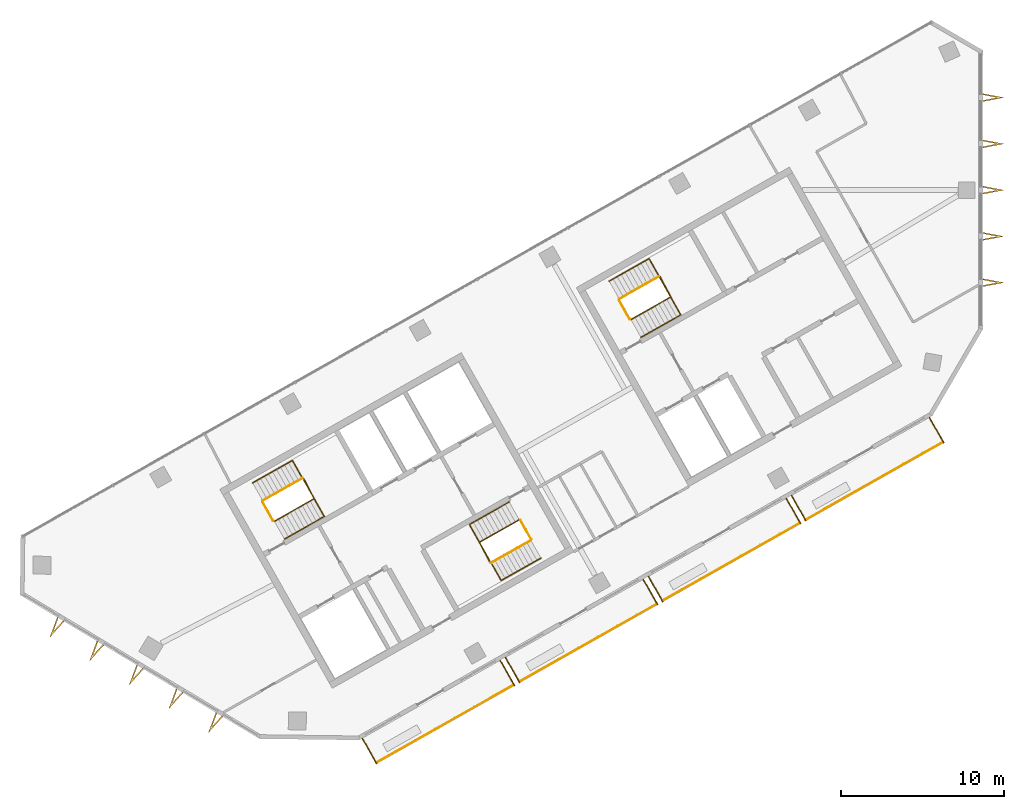
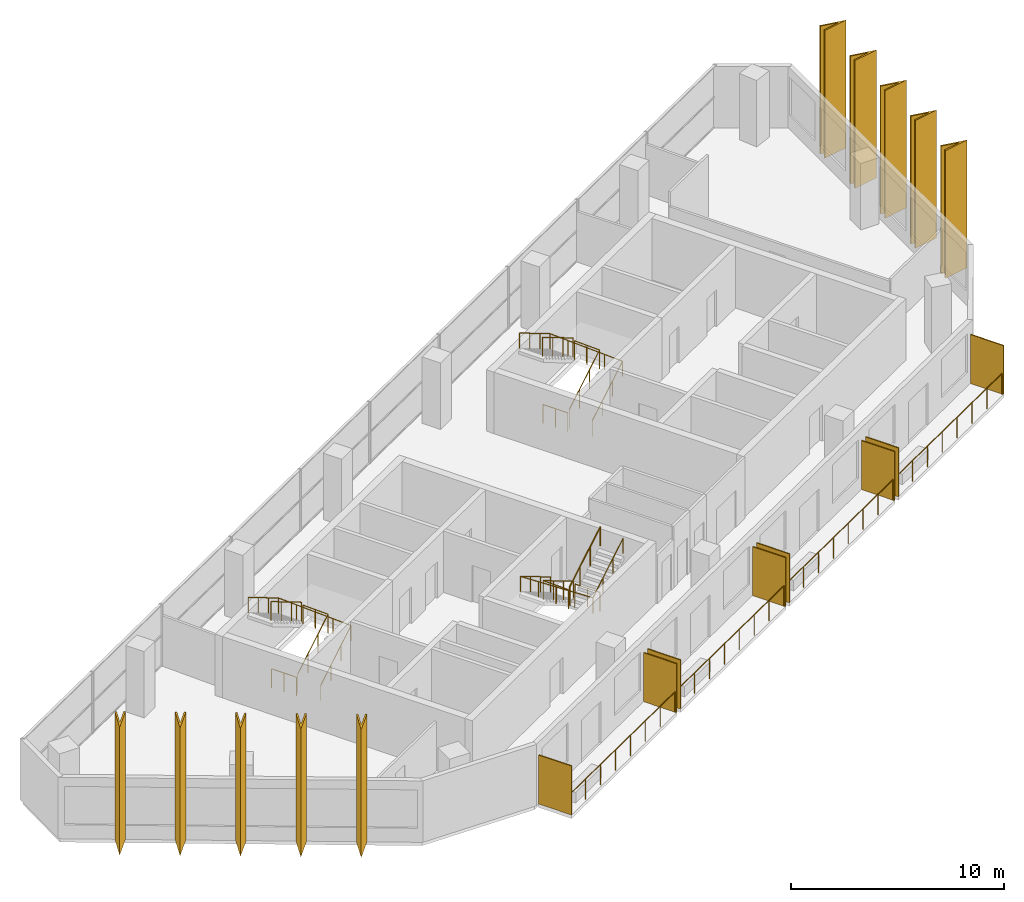
# One storey, part 9 of 10: 18 shading devices, 16 railings.
"""IFC4 building model written with IfcOpenShell, lengths in metres."""

from ifc_helpers import new_model, si_unit, direction, frame, origin, origin_2d, place, context, subcontext, project, spatial, polyline, rectangle, circle, outline, extrude, material, layer, layer_set, type_object, element, save


model = new_model("IFC4")

# Units and contexts
model_context = context("Model", 3, precision=1e-05, world=origin(), true_north=direction((0.0, 1.0)))
body_context = subcontext(model_context, "Body", "Model", "MODEL_VIEW")
ifc_project = project(units=[si_unit("LENGTHUNIT", "METRE"), si_unit("AREAUNIT", "SQUARE_METRE"), si_unit("VOLUMEUNIT", "CUBIC_METRE"), si_unit("PLANEANGLEUNIT", "RADIAN"), si_unit("MASSUNIT", "GRAM", prefix="KILO")], contexts=[model_context])

# Site, building, storey
site_placement = place(None, origin())
site = spatial("IfcSite", under=ifc_project, at=site_placement, CompositionType="ELEMENT")
building_placement = place(site_placement, origin())
building = spatial("IfcBuilding", under=site, at=building_placement, Name="Binnacle Exchange Tower", CompositionType="ELEMENT")
storey_placement = place(building_placement, frame((0.0, 0.0, 316.5)))
storey = spatial("IfcBuildingStorey", under=building, at=storey_placement, Name="L71", CompositionType="ELEMENT", Elevation=316.5)

# Railings
ifc_material_1 = material(Name="Bronze anodised aluminium frame", Category="aluminium")
railing_type_1 = type_object("IfcRailingType", Name="GUARD 1200", PredefinedType="GUARDRAIL", material=ifc_material_1)
for number, where, name in (
    (1, (-37.006591796875, 24.94287109375, 0.0), "Balcony guard H07-B00 L71"),
    (2, (-28.24365234375, 29.900634765625, 0.0), "Balcony guard H07-B01 L71"),
):
    element("IfcRailing", number, at=place(storey_placement, frame(where)), inside=storey, type_object=railing_type_1, Name=name, PredefinedType="GUARDRAIL", context=body_context, shape_type="SweptSolid", body=[
        extrude(circle(Radius=0.02392578125, at=origin_2d()), frame((0.0, 0.0, 1.17578125), z_axis=(0.870359171481, 0.492417417055, 0.0), x_axis=(-0.492417417055, 0.870359171481, 0.0)), (0.0, 0.0, 1.0), 9.648193359375),
        extrude(circle(Radius=0.02099609375, at=origin_2d()), origin(), (0.0, 0.0, 1.0), 1.15185546875),
        extrude(circle(Radius=0.02099609375, at=origin_2d()), frame((1.19970703125, 0.6787109375, 0.0)), (0.0, 0.0, 1.0), 1.15185546875),
        extrude(circle(Radius=0.02099609375, at=origin_2d()), frame((2.399169921875, 1.357421875, 0.0)), (0.0, 0.0, 1.0), 1.15185546875),
        extrude(circle(Radius=0.02099609375, at=origin_2d()), frame((3.598876953125, 2.0361328125, 0.0)), (0.0, 0.0, 1.0), 1.15185546875),
        extrude(circle(Radius=0.02099609375, at=origin_2d()), frame((4.798583984375, 2.71484375, 0.0)), (0.0, 0.0, 1.0), 1.15185546875),
        extrude(circle(Radius=0.02099609375, at=origin_2d()), frame((5.998291015625, 3.3935546875, 0.0)), (0.0, 0.0, 1.0), 1.15185546875),
        extrude(circle(Radius=0.02099609375, at=origin_2d()), frame((7.19775390625, 4.072265625, 0.0)), (0.0, 0.0, 1.0), 1.15185546875),
        extrude(circle(Radius=0.02099609375, at=origin_2d()), frame((8.3974609375, 4.7509765625, 0.0)), (0.0, 0.0, 1.0), 1.15185546875),
    ])
railing_1_placement = place(storey_placement, frame((-19.480712890625, 34.8583984375, 0.0)))
element("IfcRailing", 3, at=railing_1_placement, inside=storey, type_object=railing_type_1, Name="Balcony guard H07-B02 L71", PredefinedType="GUARDRAIL", context=body_context, shape_type="SweptSolid", body=[
    extrude(circle(Radius=0.02392578125, at=origin_2d()), frame((0.0, 0.0, 1.17578125), z_axis=(0.870342190373, 0.492447430349, 0.0), x_axis=(-0.492447430349, 0.870342190373, 0.0)), (0.0, 0.0, 1.0), 9.648193359375),
    extrude(circle(Radius=0.02099609375, at=origin_2d()), origin(), (0.0, 0.0, 1.0), 1.15185546875),
    extrude(circle(Radius=0.02099609375, at=origin_2d()), frame((1.19970703125, 0.6787109375, 0.0)), (0.0, 0.0, 1.0), 1.15185546875),
    extrude(circle(Radius=0.02099609375, at=origin_2d()), frame((2.399169921875, 1.357421875, 0.0)), (0.0, 0.0, 1.0), 1.15185546875),
    extrude(circle(Radius=0.02099609375, at=origin_2d()), frame((3.598876953125, 2.0361328125, 0.0)), (0.0, 0.0, 1.0), 1.15185546875),
    extrude(circle(Radius=0.02099609375, at=origin_2d()), frame((4.79833984375, 2.715087890625, 0.0)), (0.0, 0.0, 1.0), 1.15185546875),
    extrude(circle(Radius=0.02099609375, at=origin_2d()), frame((5.998046875, 3.393798828125, 0.0)), (0.0, 0.0, 1.0), 1.15185546875),
    extrude(circle(Radius=0.02099609375, at=origin_2d()), frame((7.197509765625, 4.072509765625, 0.0)), (0.0, 0.0, 1.0), 1.15185546875),
    extrude(circle(Radius=0.02099609375, at=origin_2d()), frame((8.397216796875, 4.751220703125, 0.0)), (0.0, 0.0, 1.0), 1.15185546875),
])
railing_2_placement = place(storey_placement, frame((-10.7177734375, 39.81640625, 0.0)))
element("IfcRailing", 4, at=railing_2_placement, inside=storey, type_object=railing_type_1, Name="Balcony guard H07-B03 L71", PredefinedType="GUARDRAIL", context=body_context, shape_type="SweptSolid", body=[
    extrude(circle(Radius=0.02392578125, at=origin_2d()), frame((0.0, 0.0, 1.17578125), z_axis=(0.870353035673, 0.492428262079, 0.0), x_axis=(-0.492428262079, 0.870353035673, 0.0)), (0.0, 0.0, 1.0), 9.64794921875),
    extrude(circle(Radius=0.02099609375, at=origin_2d()), origin(), (0.0, 0.0, 1.0), 1.15185546875),
    extrude(circle(Radius=0.02099609375, at=origin_2d()), frame((1.19970703125, 0.6787109375, 0.0)), (0.0, 0.0, 1.0), 1.15185546875),
    extrude(circle(Radius=0.02099609375, at=origin_2d()), frame((2.399169921875, 1.357421875, 0.0)), (0.0, 0.0, 1.0), 1.15185546875),
    extrude(circle(Radius=0.02099609375, at=origin_2d()), frame((3.598876953125, 2.0361328125, 0.0)), (0.0, 0.0, 1.0), 1.15185546875),
    extrude(circle(Radius=0.02099609375, at=origin_2d()), frame((4.79833984375, 2.71484375, 0.0)), (0.0, 0.0, 1.0), 1.15185546875),
    extrude(circle(Radius=0.02099609375, at=origin_2d()), frame((5.998046875, 3.3935546875, 0.0)), (0.0, 0.0, 1.0), 1.15185546875),
    extrude(circle(Radius=0.02099609375, at=origin_2d()), frame((7.197509765625, 4.072265625, 0.0)), (0.0, 0.0, 1.0), 1.15185546875),
    extrude(circle(Radius=0.02099609375, at=origin_2d()), frame((8.397216796875, 4.7509765625, 0.0)), (0.0, 0.0, 1.0), 1.15185546875),
])

# Shading devices
ifc_material_2 = material(Name="Bronze aluminium louvre", Category="aluminium")
ifc_layer = layer(ifc_material_2, 0.06005859375)
ifc_layer_set = layer_set([ifc_layer], Name="PLANTED SCREEN 60x2800")
shading_device_type_1 = type_object("IfcShadingDeviceType", Name="PLANTED SCREEN 60x2800", PredefinedType="USERDEFINED", material=ifc_layer_set)
for number, where, z_axis, x_axis, name in (
    (5, (-37.436279296875, 25.641845703125, 0.0), (0.0, 0.0, 1.0), (0.87035569594, 0.492423560103, 0.0), "Planted screen H07-B00a L71"),
    (6, (-28.98681640625, 30.42236328125, 0.0), (0.0, 0.0, 1.0), (0.87035569594, 0.492423560103, 0.0), "Planted screen H07-B00b L71"),
    (7, (-28.673583984375, 30.599609375, 0.0), (0.0, 0.0, 1.0), (0.87035569594, 0.492423560103, 0.0), "Planted screen H07-B01a L71"),
    (8, (-20.223876953125, 35.380126953125, 0.0), (0.0, 0.0, 1.0), (0.87035569594, 0.492423560103, 0.0), "Planted screen H07-B01b L71"),
    (9, (-19.91064453125, 35.5576171875, 0.0), (0.0, 0.0, 1.0), (0.87035569594, 0.492423560103, 0.0), "Planted screen H07-B02a L71"),
    (10, (-11.461181640625, 40.337890625, 0.0), (0.0, 0.0, 1.0), (0.87035569594, 0.492423560103, 0.0), "Planted screen H07-B02b L71"),
    (11, (-11.147705078125, 40.51513671875, 0.0), (0.0, 0.0, 1.0), (0.87035569594, 0.492423560103, 0.0), "Planted screen H07-B03a L71"),
    (12, (-2.697998046875, 45.2958984375, 0.0), (0.0, 0.0, 1.0), (0.87035569594, 0.492423560103, 0.0), "Planted screen H07-B03b L71"),
):
    element("IfcShadingDevice", number, at=place(storey_placement, frame(where, z_axis=z_axis, x_axis=x_axis)), inside=storey, type_object=shading_device_type_1, Name=name, ObjectType="SCREEN", PredefinedType="USERDEFINED", context=body_context, shape_type="SweptSolid", body=[
        extrude(rectangle(XDim=0.06005859375, YDim=1.800048828125, at=origin_2d()), origin(), (0.0, 0.0, 1.0), 2.800048828125),
    ])

# Railings
ifc_material_3 = material(Name="Steel guard rail", Category="steel")
railing_type_2 = type_object("IfcRailingType", Name="STAIR GUARD 1100", PredefinedType="GUARDRAIL", material=ifc_material_3)
railing_3_placement = place(storey_placement, frame((-43.26171875, 39.71728515625, 0.172607421875)))
element("IfcRailing", 13, at=railing_3_placement, inside=storey, type_object=railing_type_2, Name="L71 STA1 stair guard 1", PredefinedType="GUARDRAIL", context=body_context, shape_type="SweptSolid", body=[
    extrude(circle(Radius=0.02392578125, at=origin_2d()), frame((0.0, 0.0, 1.076171875), z_axis=(0.740737961854, 0.419123222656, 0.525017138862), x_axis=(-0.492453686477, 0.870338650569, 0.0)), (0.0, 0.0, 1.0), 3.2900390625),
    extrude(circle(Radius=0.02392578125, at=origin_2d()), frame((2.43701171875, 1.37890625, 2.80322265625), z_axis=(-0.461100321709, 0.887348011391, 0.0), x_axis=(-0.887348011391, -0.461100321709, 0.0)), (0.0, 0.0, 1.0), 1.40087890625),
    extrude(circle(Radius=0.02099609375, at=origin_2d()), origin(), (0.0, 0.0, 1.0), 1.052001953125),
    extrude(circle(Radius=0.02099609375, at=origin_2d()), frame((0.812255859375, 0.459716796875, 0.57568359375)), (0.0, 0.0, 1.0), 1.052001953125),
    extrude(circle(Radius=0.02099609375, at=origin_2d()), frame((1.624755859375, 0.919189453125, 1.151611328125)), (0.0, 0.0, 1.0), 1.052001953125),
    extrude(circle(Radius=0.02099609375, at=origin_2d()), frame((2.43701171875, 1.37890625, 1.727294921875)), (0.0, 0.0, 1.0), 1.052001953125),
    extrude(circle(Radius=0.02099609375, at=origin_2d()), frame((2.114013671875, 2.00048828125, 1.727294921875)), (0.0, 0.0, 1.0), 1.052001953125),
    extrude(circle(Radius=0.02099609375, at=origin_2d()), frame((1.791015625, 2.6220703125, 1.727294921875)), (0.0, 0.0, 1.0), 1.052001953125),
])
railing_4_placement = place(storey_placement, frame((-41.538818359375, 42.358154296875, 2.07275390625)))
element("IfcRailing", 14, at=railing_4_placement, inside=storey, type_object=railing_type_2, Name="L71 STA1 stair guard 2", PredefinedType="GUARDRAIL", context=body_context, shape_type="SweptSolid", body=[
    extrude(circle(Radius=0.02392578125, at=origin_2d()), frame((0.0, 0.0, 1.076171875), z_axis=(-0.740737961854, -0.419123222656, 0.525017138862), x_axis=(0.492453686477, -0.870338650569, 0.0)), (0.0, 0.0, 1.0), 3.2900390625),
    extrude(circle(Radius=0.02099609375, at=origin_2d()), origin(), (0.0, 0.0, 1.0), 1.052001953125),
    extrude(circle(Radius=0.02099609375, at=origin_2d()), frame((-0.812255859375, -0.459716796875, 0.57568359375)), (0.0, 0.0, 1.0), 1.052001953125),
    extrude(circle(Radius=0.02099609375, at=origin_2d()), frame((-1.624755859375, -0.919189453125, 1.151611328125)), (0.0, 0.0, 1.0), 1.052001953125),
    extrude(circle(Radius=0.02099609375, at=origin_2d()), frame((-2.43701171875, -1.37890625, 1.727294921875)), (0.0, 0.0, 1.0), 1.052001953125),
])
railing_5_placement = place(storey_placement, frame((-43.329833984375, 39.736328125, 0.0)))
element("IfcRailing", 15, at=railing_5_placement, inside=storey, type_object=railing_type_2, Name="L71 STA1 stair guard 3", PredefinedType="GUARDRAIL", context=body_context, shape_type="SweptSolid", body=[
    extrude(circle(Radius=0.02392578125, at=origin_2d()), frame((0.0, 0.0, 1.076171875), z_axis=(-0.4924922531, 0.870316827734, 0.0), x_axis=(-0.870316827734, -0.4924922531, 0.0)), (0.0, 0.0, 1.0), 1.349853515625),
    extrude(circle(Radius=0.02099609375, at=origin_2d()), origin(), (0.0, 0.0, 1.0), 1.052001953125),
    extrude(circle(Radius=0.02099609375, at=origin_2d()), frame((-0.33251953125, 0.58740234375, 0.0)), (0.0, 0.0, 1.0), 1.052001953125),
    extrude(circle(Radius=0.02099609375, at=origin_2d()), frame((-0.664794921875, 1.1748046875, 0.0)), (0.0, 0.0, 1.0), 1.052001953125),
])
railing_6_placement = place(storey_placement, frame((-28.265380859375, 39.814453125, 0.172607421875)))
element("IfcRailing", 16, at=railing_6_placement, inside=storey, type_object=railing_type_2, Name="L71 STA2 stair guard 1", PredefinedType="GUARDRAIL", context=body_context, shape_type="SweptSolid", body=[
    extrude(circle(Radius=0.02392578125, at=origin_2d()), frame((0.0, 0.0, 1.076171875), z_axis=(-0.740760999345, -0.419062048017, 0.525033467278), x_axis=(0.492387636113, -0.870376019777, 0.0)), (0.0, 0.0, 1.0), 3.289794921875),
    extrude(circle(Radius=0.02392578125, at=origin_2d()), frame((-2.43701171875, -1.378662109375, 2.80322265625), z_axis=(0.460963092712, -0.887419307406, 0.0), x_axis=(0.887419307406, 0.460963092712, 0.0)), (0.0, 0.0, 1.0), 1.40087890625),
    extrude(circle(Radius=0.02099609375, at=origin_2d()), origin(), (0.0, 0.0, 1.0), 1.052001953125),
    extrude(circle(Radius=0.02099609375, at=origin_2d()), frame((-0.812255859375, -0.45947265625, 0.57568359375)), (0.0, 0.0, 1.0), 1.052001953125),
    extrude(circle(Radius=0.02099609375, at=origin_2d()), frame((-1.624755859375, -0.919189453125, 1.151611328125)), (0.0, 0.0, 1.0), 1.052001953125),
    extrude(circle(Radius=0.02099609375, at=origin_2d()), frame((-2.43701171875, -1.378662109375, 1.727294921875)), (0.0, 0.0, 1.0), 1.052001953125),
    extrude(circle(Radius=0.02099609375, at=origin_2d()), frame((-2.1142578125, -2.000244140625, 1.727294921875)), (0.0, 0.0, 1.0), 1.052001953125),
    extrude(circle(Radius=0.02099609375, at=origin_2d()), frame((-1.791259765625, -2.621826171875, 1.727294921875)), (0.0, 0.0, 1.0), 1.052001953125),
])
railing_7_placement = place(storey_placement, frame((-29.988525390625, 37.173583984375, 2.07275390625)))
element("IfcRailing", 17, at=railing_7_placement, inside=storey, type_object=railing_type_2, Name="L71 STA2 stair guard 2", PredefinedType="GUARDRAIL", context=body_context, shape_type="SweptSolid", body=[
    extrude(circle(Radius=0.02392578125, at=origin_2d()), frame((0.0, 0.0, 1.076171875), z_axis=(0.740737961854, 0.419123222656, 0.525017138862), x_axis=(-0.492453686477, 0.870338650569, 0.0)), (0.0, 0.0, 1.0), 3.2900390625),
    extrude(circle(Radius=0.02099609375, at=origin_2d()), origin(), (0.0, 0.0, 1.0), 1.052001953125),
    extrude(circle(Radius=0.02099609375, at=origin_2d()), frame((0.812255859375, 0.459716796875, 0.57568359375)), (0.0, 0.0, 1.0), 1.052001953125),
    extrude(circle(Radius=0.02099609375, at=origin_2d()), frame((1.624755859375, 0.919189453125, 1.151611328125)), (0.0, 0.0, 1.0), 1.052001953125),
    extrude(circle(Radius=0.02099609375, at=origin_2d()), frame((2.43701171875, 1.37890625, 1.727294921875)), (0.0, 0.0, 1.0), 1.052001953125),
])
railing_8_placement = place(storey_placement, frame((-28.197265625, 39.795654296875, 0.0)))
element("IfcRailing", 18, at=railing_8_placement, inside=storey, type_object=railing_type_2, Name="L71 STA2 stair guard 3", PredefinedType="GUARDRAIL", context=body_context, shape_type="SweptSolid", body=[
    extrude(circle(Radius=0.02392578125, at=origin_2d()), frame((0.0, 0.0, 1.076171875), z_axis=(0.49241474071, -0.870360685654, 0.0), x_axis=(0.870360685654, 0.49241474071, 0.0)), (0.0, 0.0, 1.0), 1.35009765625),
    extrude(circle(Radius=0.02099609375, at=origin_2d()), origin(), (0.0, 0.0, 1.0), 1.052001953125),
    extrude(circle(Radius=0.02099609375, at=origin_2d()), frame((0.33251953125, -0.58740234375, 0.0)), (0.0, 0.0, 1.0), 1.052001953125),
    extrude(circle(Radius=0.02099609375, at=origin_2d()), frame((0.664794921875, -1.175048828125, 0.0)), (0.0, 0.0, 1.0), 1.052001953125),
])
railing_9_placement = place(storey_placement, frame((-21.423828125, 52.07275390625, 0.172607421875)))
element("IfcRailing", 19, at=railing_9_placement, inside=storey, type_object=railing_type_2, Name="L71 STC1 stair guard 1", PredefinedType="GUARDRAIL", context=body_context, shape_type="SweptSolid", body=[
    extrude(circle(Radius=0.02392578125, at=origin_2d()), frame((0.0, 0.0, 1.076171875), z_axis=(0.740760999345, 0.419062048017, 0.525033467278), x_axis=(-0.492387636113, 0.870376019777, 0.0)), (0.0, 0.0, 1.0), 3.289794921875),
    extrude(circle(Radius=0.02392578125, at=origin_2d()), frame((2.43701171875, 1.378662109375, 2.80322265625), z_axis=(-0.460963092712, 0.887419307406, 0.0), x_axis=(-0.887419307406, -0.460963092712, 0.0)), (0.0, 0.0, 1.0), 1.40087890625),
    extrude(circle(Radius=0.02099609375, at=origin_2d()), origin(), (0.0, 0.0, 1.0), 1.052001953125),
    extrude(circle(Radius=0.02099609375, at=origin_2d()), frame((0.812255859375, 0.45947265625, 0.57568359375)), (0.0, 0.0, 1.0), 1.052001953125),
    extrude(circle(Radius=0.02099609375, at=origin_2d()), frame((1.624755859375, 0.919189453125, 1.151611328125)), (0.0, 0.0, 1.0), 1.052001953125),
    extrude(circle(Radius=0.02099609375, at=origin_2d()), frame((2.43701171875, 1.378662109375, 1.727294921875)), (0.0, 0.0, 1.0), 1.052001953125),
    extrude(circle(Radius=0.02099609375, at=origin_2d()), frame((2.1142578125, 2.000244140625, 1.727294921875)), (0.0, 0.0, 1.0), 1.052001953125),
    extrude(circle(Radius=0.02099609375, at=origin_2d()), frame((1.791259765625, 2.621826171875, 1.727294921875)), (0.0, 0.0, 1.0), 1.052001953125),
])
railing_10_placement = place(storey_placement, frame((-19.70068359375, 54.71337890625, 2.07275390625)))
element("IfcRailing", 20, at=railing_10_placement, inside=storey, type_object=railing_type_2, Name="L71 STC1 stair guard 2", PredefinedType="GUARDRAIL", context=body_context, shape_type="SweptSolid", body=[
    extrude(circle(Radius=0.02392578125, at=origin_2d()), frame((0.0, 0.0, 1.076171875), z_axis=(-0.740760999345, -0.419062048017, 0.525033467278), x_axis=(0.492387636113, -0.870376019777, 0.0)), (0.0, 0.0, 1.0), 3.289794921875),
    extrude(circle(Radius=0.02099609375, at=origin_2d()), origin(), (0.0, 0.0, 1.0), 1.052001953125),
    extrude(circle(Radius=0.02099609375, at=origin_2d()), frame((-0.812255859375, -0.45947265625, 0.57568359375)), (0.0, 0.0, 1.0), 1.052001953125),
    extrude(circle(Radius=0.02099609375, at=origin_2d()), frame((-1.624755859375, -0.919189453125, 1.151611328125)), (0.0, 0.0, 1.0), 1.052001953125),
    extrude(circle(Radius=0.02099609375, at=origin_2d()), frame((-2.43701171875, -1.378662109375, 1.727294921875)), (0.0, 0.0, 1.0), 1.052001953125),
])
railing_11_placement = place(storey_placement, frame((-21.491943359375, 52.091552734375, 0.0)))
element("IfcRailing", 21, at=railing_11_placement, inside=storey, type_object=railing_type_2, Name="L71 STC1 stair guard 3", PredefinedType="GUARDRAIL", context=body_context, shape_type="SweptSolid", body=[
    extrude(circle(Radius=0.02392578125, at=origin_2d()), frame((0.0, 0.0, 1.076171875), z_axis=(-0.49241474071, 0.870360685654, 0.0), x_axis=(-0.870360685654, -0.49241474071, 0.0)), (0.0, 0.0, 1.0), 1.35009765625),
    extrude(circle(Radius=0.02099609375, at=origin_2d()), origin(), (0.0, 0.0, 1.0), 1.052001953125),
    extrude(circle(Radius=0.02099609375, at=origin_2d()), frame((-0.33251953125, 0.58740234375, 0.0)), (0.0, 0.0, 1.0), 1.052001953125),
    extrude(circle(Radius=0.02099609375, at=origin_2d()), frame((-0.664794921875, 1.175048828125, 0.0)), (0.0, 0.0, 1.0), 1.052001953125),
])
ifc_material_4 = material(Name="Steel handrail", Category="steel")
railing_type_3 = type_object("IfcRailingType", Name="STAIR HANDRAIL 900", PredefinedType="HANDRAIL", material=ifc_material_4)
railing_12_placement = place(storey_placement, frame((-42.646240234375, 38.62939453125, 0.172607421875)))
element("IfcRailing", 22, at=railing_12_placement, inside=storey, type_object=railing_type_3, Name="L71 STA1 stair handrail 1", PredefinedType="HANDRAIL", context=body_context, shape_type="SweptSolid", body=[
    extrude(circle(Radius=0.02392578125, at=origin_2d()), frame((0.0, 0.0, 0.8759765625), z_axis=(0.740760999345, 0.419062048017, 0.525033467278), x_axis=(-0.492387636113, 0.870376019777, 0.0)), (0.0, 0.0, 1.0), 3.289794921875),
    extrude(circle(Radius=0.02392578125, at=origin_2d()), frame((2.43701171875, 1.378662109375, 2.60302734375), z_axis=(-0.491942846455, 0.869529203437, 0.043717275673), x_axis=(-0.870361318571, -0.492413622004, 0.0)), (0.0, 0.0, 1.0), 3.953857421875),
    extrude(circle(Radius=0.02392578125, at=origin_2d()), frame((0.491943359375, 4.816650390625, 2.77587890625), z_axis=(-0.740760999345, -0.419062048017, 0.525033467278), x_axis=(0.492387636113, -0.870376019777, 0.0)), (0.0, 0.0, 1.0), 3.289794921875),
    extrude(circle(Radius=0.02099609375, at=origin_2d()), origin(), (0.0, 0.0, 1.0), 0.851806640625),
    extrude(circle(Radius=0.02099609375, at=origin_2d()), frame((0.812255859375, 0.45947265625, 0.57568359375)), (0.0, 0.0, 1.0), 0.851806640625),
    extrude(circle(Radius=0.02099609375, at=origin_2d()), frame((1.624755859375, 0.919189453125, 1.151611328125)), (0.0, 0.0, 1.0), 0.851806640625),
    extrude(circle(Radius=0.02099609375, at=origin_2d()), frame((2.43701171875, 1.378662109375, 1.727294921875)), (0.0, 0.0, 1.0), 0.851806640625),
    extrude(circle(Radius=0.02099609375, at=origin_2d()), frame((1.95068359375, 2.23828125, 1.7705078125)), (0.0, 0.0, 1.0), 0.851806640625),
    extrude(circle(Radius=0.02099609375, at=origin_2d()), frame((1.46435546875, 3.09765625, 1.813720703125)), (0.0, 0.0, 1.0), 0.851806640625),
    extrude(circle(Radius=0.02099609375, at=origin_2d()), frame((0.978271484375, 3.95703125, 1.85693359375)), (0.0, 0.0, 1.0), 0.851806640625),
    extrude(circle(Radius=0.02099609375, at=origin_2d()), frame((0.491943359375, 4.816650390625, 1.900146484375)), (0.0, 0.0, 1.0), 0.851806640625),
    extrude(circle(Radius=0.02099609375, at=origin_2d()), frame((-0.3203125, 4.357177734375, 2.475830078125)), (0.0, 0.0, 1.0), 0.851806640625),
    extrude(circle(Radius=0.02099609375, at=origin_2d()), frame((-1.1328125, 3.8974609375, 3.0517578125)), (0.0, 0.0, 1.0), 0.851806640625),
    extrude(circle(Radius=0.02099609375, at=origin_2d()), frame((-1.945068359375, 3.43798828125, 3.62744140625)), (0.0, 0.0, 1.0), 0.851806640625),
])
railing_13_placement = place(storey_placement, frame((-28.880859375, 40.90234375, 0.172607421875)))
element("IfcRailing", 23, at=railing_13_placement, inside=storey, type_object=railing_type_3, Name="L71 STA2 stair handrail 1", PredefinedType="HANDRAIL", context=body_context, shape_type="SweptSolid", body=[
    extrude(circle(Radius=0.02392578125, at=origin_2d()), frame((0.0, 0.0, 0.8759765625), z_axis=(-0.740760999345, -0.419062048017, 0.525033467278), x_axis=(0.492387636113, -0.870376019777, 0.0)), (0.0, 0.0, 1.0), 3.289794921875),
    extrude(circle(Radius=0.02392578125, at=origin_2d()), frame((-2.43701171875, -1.378662109375, 2.60302734375), z_axis=(0.491942846455, -0.869529203437, 0.043717275673), x_axis=(0.870361318571, 0.492413622004, 0.0)), (0.0, 0.0, 1.0), 3.953857421875),
    extrude(circle(Radius=0.02392578125, at=origin_2d()), frame((-0.491943359375, -4.816650390625, 2.77587890625), z_axis=(0.740737961854, 0.419123222656, 0.525017138862), x_axis=(-0.492453686477, 0.870338650569, 0.0)), (0.0, 0.0, 1.0), 3.2900390625),
    extrude(circle(Radius=0.02099609375, at=origin_2d()), origin(), (0.0, 0.0, 1.0), 0.851806640625),
    extrude(circle(Radius=0.02099609375, at=origin_2d()), frame((-0.812255859375, -0.45947265625, 0.57568359375)), (0.0, 0.0, 1.0), 0.851806640625),
    extrude(circle(Radius=0.02099609375, at=origin_2d()), frame((-1.624755859375, -0.919189453125, 1.151611328125)), (0.0, 0.0, 1.0), 0.851806640625),
    extrude(circle(Radius=0.02099609375, at=origin_2d()), frame((-2.43701171875, -1.378662109375, 1.727294921875)), (0.0, 0.0, 1.0), 0.851806640625),
    extrude(circle(Radius=0.02099609375, at=origin_2d()), frame((-1.95068359375, -2.23828125, 1.7705078125)), (0.0, 0.0, 1.0), 0.851806640625),
    extrude(circle(Radius=0.02099609375, at=origin_2d()), frame((-1.46435546875, -3.09765625, 1.813720703125)), (0.0, 0.0, 1.0), 0.851806640625),
    extrude(circle(Radius=0.02099609375, at=origin_2d()), frame((-0.978271484375, -3.95703125, 1.85693359375)), (0.0, 0.0, 1.0), 0.851806640625),
    extrude(circle(Radius=0.02099609375, at=origin_2d()), frame((-0.491943359375, -4.816650390625, 1.900146484375)), (0.0, 0.0, 1.0), 0.851806640625),
    extrude(circle(Radius=0.02099609375, at=origin_2d()), frame((0.3203125, -4.35693359375, 2.475830078125)), (0.0, 0.0, 1.0), 0.851806640625),
    extrude(circle(Radius=0.02099609375, at=origin_2d()), frame((1.1328125, -3.8974609375, 3.0517578125)), (0.0, 0.0, 1.0), 0.851806640625),
    extrude(circle(Radius=0.02099609375, at=origin_2d()), frame((1.945068359375, -3.437744140625, 3.62744140625)), (0.0, 0.0, 1.0), 0.851806640625),
])
railing_14_placement = place(storey_placement, frame((-20.808349609375, 50.984619140625, 0.172607421875)))
element("IfcRailing", 24, at=railing_14_placement, inside=storey, type_object=railing_type_3, Name="L71 STC1 stair handrail 1", PredefinedType="HANDRAIL", context=body_context, shape_type="SweptSolid", body=[
    extrude(circle(Radius=0.02392578125, at=origin_2d()), frame((0.0, 0.0, 0.8759765625), z_axis=(0.740737961854, 0.419123222656, 0.525017138862), x_axis=(-0.492453686477, 0.870338650569, 0.0)), (0.0, 0.0, 1.0), 3.2900390625),
    extrude(circle(Radius=0.02392578125, at=origin_2d()), frame((2.43701171875, 1.37890625, 2.60302734375), z_axis=(-0.491969260701, 0.869514140822, 0.043719623017), x_axis=(-0.87034633103, -0.492440112159, 0.0)), (0.0, 0.0, 1.0), 3.95361328125),
    extrude(circle(Radius=0.02392578125, at=origin_2d()), frame((0.491943359375, 4.816650390625, 2.77587890625), z_axis=(-0.740760999345, -0.419062048017, 0.525033467278), x_axis=(0.492387636113, -0.870376019777, 0.0)), (0.0, 0.0, 1.0), 3.289794921875),
    extrude(circle(Radius=0.02099609375, at=origin_2d()), origin(), (0.0, 0.0, 1.0), 0.851806640625),
    extrude(circle(Radius=0.02099609375, at=origin_2d()), frame((0.812255859375, 0.459716796875, 0.57568359375)), (0.0, 0.0, 1.0), 0.851806640625),
    extrude(circle(Radius=0.02099609375, at=origin_2d()), frame((1.624755859375, 0.919189453125, 1.151611328125)), (0.0, 0.0, 1.0), 0.851806640625),
    extrude(circle(Radius=0.02099609375, at=origin_2d()), frame((2.43701171875, 1.37890625, 1.727294921875)), (0.0, 0.0, 1.0), 0.851806640625),
    extrude(circle(Radius=0.02099609375, at=origin_2d()), frame((1.95068359375, 2.23828125, 1.7705078125)), (0.0, 0.0, 1.0), 0.851806640625),
    extrude(circle(Radius=0.02099609375, at=origin_2d()), frame((1.46435546875, 3.09765625, 1.813720703125)), (0.0, 0.0, 1.0), 0.851806640625),
    extrude(circle(Radius=0.02099609375, at=origin_2d()), frame((0.978271484375, 3.957275390625, 1.85693359375)), (0.0, 0.0, 1.0), 0.851806640625),
    extrude(circle(Radius=0.02099609375, at=origin_2d()), frame((0.491943359375, 4.816650390625, 1.900146484375)), (0.0, 0.0, 1.0), 0.851806640625),
    extrude(circle(Radius=0.02099609375, at=origin_2d()), frame((-0.3203125, 4.357177734375, 2.475830078125)), (0.0, 0.0, 1.0), 0.851806640625),
    extrude(circle(Radius=0.02099609375, at=origin_2d()), frame((-1.1328125, 3.8974609375, 3.0517578125)), (0.0, 0.0, 1.0), 0.851806640625),
    extrude(circle(Radius=0.02099609375, at=origin_2d()), frame((-1.945068359375, 3.43798828125, 3.62744140625)), (0.0, 0.0, 1.0), 0.851806640625),
])

# Shading devices
ifc_material_5 = material(Name="Bronze aluminium cladding", Category="aluminium")
shading_device_type_2 = type_object("IfcShadingDeviceType", Name="V FIN 1300 DEEP x 7320 HIGH", PredefinedType="USERDEFINED", material=ifc_material_5)
shading_device_1_placement = place(storey_placement, origin())
element("IfcShadingDevice", 25, at=shading_device_1_placement, inside=storey, type_object=shading_device_type_2, Name="V fin FN-H01-01 L71", ObjectType="FIN", PredefinedType="USERDEFINED", context=body_context, shape_type="SweptSolid", body=[
    extrude(outline(polyline([(0.125, 54.083251953125), (1.425048828125, 54.333251953125), (0.125, 54.583251953125), (0.125, 54.501708984375), (1.00146484375, 54.333251953125), (0.125, 54.164794921875), (0.125, 54.083251953125)])), origin(), (0.0, 0.0, 1.0), 7.320068359375),
])
shading_device_2_placement = place(storey_placement, origin())
element("IfcShadingDevice", 26, at=shading_device_2_placement, inside=storey, type_object=shading_device_type_2, Name="V fin FN-H01-02 L71", ObjectType="FIN", PredefinedType="USERDEFINED", context=body_context, shape_type="SweptSolid", body=[
    extrude(outline(polyline([(0.125, 56.916748046875), (1.425048828125, 57.166748046875), (0.125, 57.416748046875), (0.125, 57.335205078125), (1.00146484375, 57.166748046875), (0.125, 56.998291015625), (0.125, 56.916748046875)])), origin(), (0.0, 0.0, 1.0), 7.320068359375),
])
shading_device_3_placement = place(storey_placement, origin())
element("IfcShadingDevice", 27, at=shading_device_3_placement, inside=storey, type_object=shading_device_type_2, Name="V fin FN-H01-03 L71", ObjectType="FIN", PredefinedType="USERDEFINED", context=body_context, shape_type="SweptSolid", body=[
    extrude(outline(polyline([(0.125, 59.75), (1.425048828125, 60.0), (0.125, 60.25), (0.125, 60.16845703125), (1.00146484375, 60.0), (0.125, 59.83154296875), (0.125, 59.75)])), origin(), (0.0, 0.0, 1.0), 7.320068359375),
])
shading_device_4_placement = place(storey_placement, origin())
element("IfcShadingDevice", 28, at=shading_device_4_placement, inside=storey, type_object=shading_device_type_2, Name="V fin FN-H01-04 L71", ObjectType="FIN", PredefinedType="USERDEFINED", context=body_context, shape_type="SweptSolid", body=[
    extrude(outline(polyline([(0.125, 62.583251953125), (1.425048828125, 62.833251953125), (0.125, 63.083251953125), (0.125, 63.001708984375), (1.00146484375, 62.833251953125), (0.125, 62.664794921875), (0.125, 62.583251953125)])), origin(), (0.0, 0.0, 1.0), 7.320068359375),
])
shading_device_5_placement = place(storey_placement, origin())
element("IfcShadingDevice", 29, at=shading_device_5_placement, inside=storey, type_object=shading_device_type_2, Name="V fin FN-H01-05 L71", ObjectType="FIN", PredefinedType="USERDEFINED", context=body_context, shape_type="SweptSolid", body=[
    extrude(outline(polyline([(0.125, 65.416748046875), (1.425048828125, 65.666748046875), (0.125, 65.916748046875), (0.125, 65.835205078125), (1.00146484375, 65.666748046875), (0.125, 65.498291015625), (0.125, 65.416748046875)])), origin(), (0.0, 0.0, 1.0), 7.320068359375),
])
shading_device_6_placement = place(storey_placement, origin())
element("IfcShadingDevice", 30, at=shading_device_6_placement, inside=storey, type_object=shading_device_type_2, Name="V fin FN-H05-01 L71", ObjectType="FIN", PredefinedType="USERDEFINED", context=body_context, shape_type="SweptSolid", body=[
    extrude(outline(polyline([(-56.566162109375, 33.842529296875), (-57.021240234375, 32.599365234375), (-56.137451171875, 33.5849609375), (-56.207275390625, 33.626953125), (-56.80322265625, 32.96240234375), (-56.496337890625, 33.800537109375), (-56.566162109375, 33.842529296875)])), origin(), (0.0, 0.0, 1.0), 7.320068359375),
])
shading_device_7_placement = place(storey_placement, origin())
element("IfcShadingDevice", 31, at=shading_device_7_placement, inside=storey, type_object=shading_device_type_2, Name="V fin FN-H05-02 L71", ObjectType="FIN", PredefinedType="USERDEFINED", context=body_context, shape_type="SweptSolid", body=[
    extrude(outline(polyline([(-54.137451171875, 32.38330078125), (-54.592529296875, 31.14013671875), (-53.708740234375, 32.12548828125), (-53.778564453125, 32.16748046875), (-54.37451171875, 31.503173828125), (-54.067626953125, 32.34130859375), (-54.137451171875, 32.38330078125)])), origin(), (0.0, 0.0, 1.0), 7.320068359375),
])
shading_device_8_placement = place(storey_placement, origin())
element("IfcShadingDevice", 32, at=shading_device_8_placement, inside=storey, type_object=shading_device_type_2, Name="V fin FN-H05-03 L71", ObjectType="FIN", PredefinedType="USERDEFINED", context=body_context, shape_type="SweptSolid", body=[
    extrude(outline(polyline([(-51.708740234375, 30.923828125), (-52.1640625, 29.680908203125), (-51.2802734375, 30.666259765625), (-51.35009765625, 30.708251953125), (-51.94580078125, 30.0439453125), (-51.638916015625, 30.8818359375), (-51.708740234375, 30.923828125)])), origin(), (0.0, 0.0, 1.0), 7.320068359375),
])
shading_device_9_placement = place(storey_placement, origin())
element("IfcShadingDevice", 33, at=shading_device_9_placement, inside=storey, type_object=shading_device_type_2, Name="V fin FN-H05-04 L71", ObjectType="FIN", PredefinedType="USERDEFINED", context=body_context, shape_type="SweptSolid", body=[
    extrude(outline(polyline([(-49.280029296875, 29.464599609375), (-49.7353515625, 28.2216796875), (-48.8515625, 29.20703125), (-48.92138671875, 29.2490234375), (-49.51708984375, 28.584716796875), (-49.210205078125, 29.422607421875), (-49.280029296875, 29.464599609375)])), origin(), (0.0, 0.0, 1.0), 7.320068359375),
])
shading_device_10_placement = place(storey_placement, origin())
element("IfcShadingDevice", 34, at=shading_device_10_placement, inside=storey, type_object=shading_device_type_2, Name="V fin FN-H05-05 L71", ObjectType="FIN", PredefinedType="USERDEFINED", context=body_context, shape_type="SweptSolid", body=[
    extrude(outline(polyline([(-46.8515625, 28.00537109375), (-47.306640625, 26.76220703125), (-46.4228515625, 27.747802734375), (-46.49267578125, 27.789794921875), (-47.088623046875, 27.12548828125), (-46.78173828125, 27.96337890625), (-46.8515625, 28.00537109375)])), origin(), (0.0, 0.0, 1.0), 7.320068359375),
])

save(model, "model.ifc")
